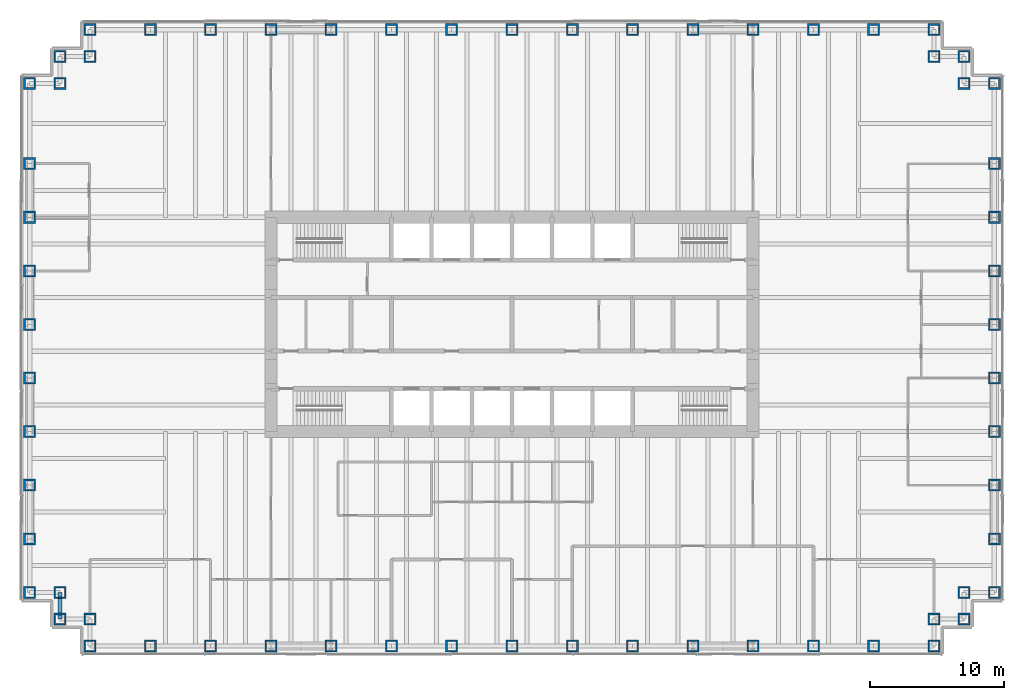
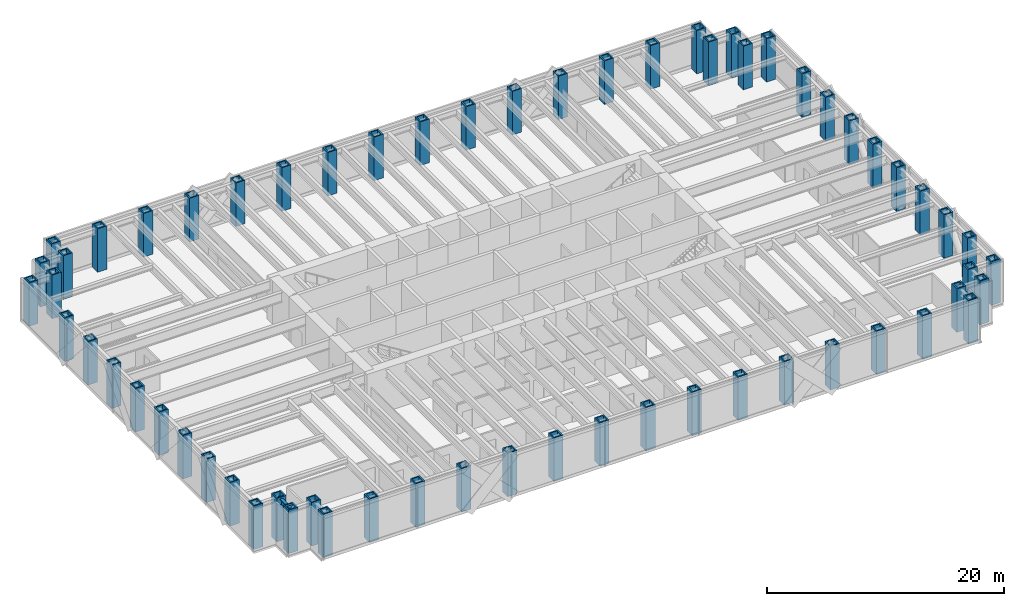
# One storey, part 1 of 13: 62 columns, 1 beam.
"""IFC4 building model written with IfcOpenShell, lengths in metres."""

from ifc_helpers import new_model, si_unit, direction, frame, origin, origin_2d, place, context, subcontext, project, spatial, hollow_rectangle, i_section, extrude, material, material_profile, profile_set, type_object, element, save


model = new_model("IFC4")

# Units and contexts
model_context = context("Model", 3, precision=1e-05, world=origin(), true_north=direction((0.0, 1.0)))
body_context = subcontext(model_context, "Body", "Model", "MODEL_VIEW")
ifc_project = project(units=[si_unit("LENGTHUNIT", "METRE"), si_unit("AREAUNIT", "SQUARE_METRE"), si_unit("VOLUMEUNIT", "CUBIC_METRE"), si_unit("PLANEANGLEUNIT", "RADIAN"), si_unit("MASSUNIT", "GRAM", prefix="KILO")], contexts=[model_context])

# Site, building, storey
site_placement = place(None, origin())
site = spatial("IfcSite", under=ifc_project, at=site_placement, CompositionType="ELEMENT")
building_placement = place(site_placement, origin())
building = spatial("IfcBuilding", under=site, at=building_placement, Name="Rheinbord Bourse Tower", CompositionType="ELEMENT")
storey_placement = place(building_placement, frame((0.0, 0.0, 45.5)))
storey = spatial("IfcBuildingStorey", under=building, at=storey_placement, Name="L09", CompositionType="ELEMENT", Elevation=45.5)

# Columns
ifc_material_1 = material(Name="Steel S460M", Category="steel")
ifc_material_profile_1 = material_profile(ifc_material_1, hollow_rectangle(XDim=0.89990234375, YDim=0.89990234375, WallThickness=0.1201171875, at=origin_2d()), Name="BOX 900x900x120")
ifc_profile_set_1 = profile_set([ifc_material_profile_1], Name="Steel S460M")
column_type = type_object("IfcColumnType", Name="TUBE COLUMN BOX 900x900x120", PredefinedType="COLUMN", material=ifc_profile_set_1)
for number, where, z_axis, x_axis, name in (
    (1, (4.5, 0.0, 0.0), (0.0, 0.0, 1.0), (0.0, 1.0, 0.0), "Column SW-E L09"),
    (2, (9.0, 0.0, 0.0), (0.0, 0.0, 1.0), (0.0, 1.0, 0.0), "Column S-9 L09"),
    (3, (13.5, 0.0, 0.0), (0.0, 0.0, 1.0), (0.0, 1.0, 0.0), "Column S-13.5 L09"),
    (4, (18.0, 0.0, 0.0), (0.0, 0.0, 1.0), (0.0, 1.0, 0.0), "Column S-18 L09"),
    (5, (22.5, 0.0, 0.0), (0.0, 0.0, 1.0), (0.0, 1.0, 0.0), "Column S-22.5 L09"),
    (6, (27.0, 0.0, 0.0), (0.0, 0.0, 1.0), (0.0, 1.0, 0.0), "Column S-27 L09"),
    (7, (31.5, 0.0, 0.0), (0.0, 0.0, 1.0), (0.0, 1.0, 0.0), "Column S-31.5 L09"),
    (8, (36.0, 0.0, 0.0), (0.0, 0.0, 1.0), (0.0, 1.0, 0.0), "Column S-36 L09"),
    (9, (40.5, 0.0, 0.0), (0.0, 0.0, 1.0), (0.0, 1.0, 0.0), "Column S-40.5 L09"),
    (10, (45.0, 0.0, 0.0), (0.0, 0.0, 1.0), (0.0, 1.0, 0.0), "Column S-45 L09"),
    (11, (49.5, 0.0, 0.0), (0.0, 0.0, 1.0), (0.0, 1.0, 0.0), "Column S-49.5 L09"),
    (12, (54.0, 0.0, 0.0), (0.0, 0.0, 1.0), (0.0, 1.0, 0.0), "Column S-54 L09"),
    (13, (58.5, 0.0, 0.0), (0.0, 0.0, 1.0), (0.0, 1.0, 0.0), "Column S-58.5 L09"),
    (14, (63.0, 0.0, 0.0), (0.0, 0.0, 1.0), (0.0, 1.0, 0.0), "Column S-63 L09"),
    (15, (67.5, 0.0, 0.0), (0.0, 0.0, 1.0), (0.0, 1.0, 0.0), "Column SE-E L09"),
    (16, (67.5, 2.0, 0.0), (0.0, 0.0, 1.0), (0.0, 1.0, 0.0), "Column SE-D L09"),
    (17, (69.75, 2.0, 0.0), (0.0, 0.0, 1.0), (1.0, 0.0, 0.0), "Column SE-C L09"),
    (18, (69.75, 4.0, 0.0), (0.0, 0.0, 1.0), (1.0, 0.0, 0.0), "Column SE-B L09"),
    (19, (72.0, 4.0, 0.0), (0.0, 0.0, 1.0), (1.0, 0.0, 0.0), "Column SE-A L09"),
    (20, (72.0, 8.0, 0.0), (0.0, 0.0, 1.0), (1.0, 0.0, 0.0), "Column E-8 L09"),
    (21, (72.0, 12.0, 0.0), (0.0, 0.0, 1.0), (1.0, 0.0, 0.0), "Column E-12 L09"),
    (22, (72.0, 16.0, 0.0), (0.0, 0.0, 1.0), (1.0, 0.0, 0.0), "Column E-16 L09"),
    (23, (72.0, 20.0, 0.0), (0.0, 0.0, 1.0), (1.0, 0.0, 0.0), "Column E-20 L09"),
    (24, (72.0, 24.0, 0.0), (0.0, 0.0, 1.0), (1.0, 0.0, 0.0), "Column E-24 L09"),
    (25, (72.0, 28.0, 0.0), (0.0, 0.0, 1.0), (1.0, 0.0, 0.0), "Column E-28 L09"),
    (26, (72.0, 32.0, 0.0), (0.0, 0.0, 1.0), (1.0, 0.0, 0.0), "Column E-32 L09"),
    (27, (72.0, 36.0, 0.0), (0.0, 0.0, 1.0), (1.0, 0.0, 0.0), "Column E-36 L09"),
    (28, (72.0, 42.0, 0.0), (0.0, 0.0, 1.0), (1.0, 0.0, 0.0), "Column NE-A L09"),
    (29, (69.75, 42.0, 0.0), (0.0, 0.0, 1.0), (1.0, 0.0, 0.0), "Column NE-B L09"),
    (30, (69.75, 44.0, 0.0), (0.0, 0.0, 1.0), (1.0, 0.0, 0.0), "Column NE-C L09"),
    (31, (67.5, 44.0, 0.0), (0.0, 0.0, 1.0), (0.0, 1.0, 0.0), "Column NE-D L09"),
    (32, (67.5, 46.0, 0.0), (0.0, 0.0, 1.0), (0.0, 1.0, 0.0), "Column NE-E L09"),
    (33, (63.0, 46.0, 0.0), (0.0, 0.0, 1.0), (0.0, 1.0, 0.0), "Column N-63 L09"),
    (34, (58.5, 46.0, 0.0), (0.0, 0.0, 1.0), (0.0, 1.0, 0.0), "Column N-58.5 L09"),
    (35, (54.0, 46.0, 0.0), (0.0, 0.0, 1.0), (0.0, 1.0, 0.0), "Column N-54 L09"),
    (36, (49.5, 46.0, 0.0), (0.0, 0.0, 1.0), (0.0, 1.0, 0.0), "Column N-49.5 L09"),
    (37, (45.0, 46.0, 0.0), (0.0, 0.0, 1.0), (0.0, 1.0, 0.0), "Column N-45 L09"),
    (38, (40.5, 46.0, 0.0), (0.0, 0.0, 1.0), (0.0, 1.0, 0.0), "Column N-40.5 L09"),
    (39, (36.0, 46.0, 0.0), (0.0, 0.0, 1.0), (0.0, 1.0, 0.0), "Column N-36 L09"),
    (40, (31.5, 46.0, 0.0), (0.0, 0.0, 1.0), (0.0, 1.0, 0.0), "Column N-31.5 L09"),
    (41, (27.0, 46.0, 0.0), (0.0, 0.0, 1.0), (0.0, 1.0, 0.0), "Column N-27 L09"),
    (42, (22.5, 46.0, 0.0), (0.0, 0.0, 1.0), (0.0, 1.0, 0.0), "Column N-22.5 L09"),
    (43, (18.0, 46.0, 0.0), (0.0, 0.0, 1.0), (0.0, 1.0, 0.0), "Column N-18 L09"),
    (44, (13.5, 46.0, 0.0), (0.0, 0.0, 1.0), (0.0, 1.0, 0.0), "Column N-13.5 L09"),
    (45, (9.0, 46.0, 0.0), (0.0, 0.0, 1.0), (0.0, 1.0, 0.0), "Column N-9 L09"),
    (46, (4.5, 46.0, 0.0), (0.0, 0.0, 1.0), (0.0, 1.0, 0.0), "Column NW-E L09"),
    (47, (4.5, 44.0, 0.0), (0.0, 0.0, 1.0), (0.0, 1.0, 0.0), "Column NW-D L09"),
    (48, (2.25, 44.0, 0.0), (0.0, 0.0, 1.0), (1.0, 0.0, 0.0), "Column NW-C L09"),
    (49, (2.25, 42.0, 0.0), (0.0, 0.0, 1.0), (1.0, 0.0, 0.0), "Column NW-B L09"),
    (50, (0.0, 42.0, 0.0), (0.0, 0.0, 1.0), (1.0, 0.0, 0.0), "Column NW-A L09"),
    (51, (0.0, 36.0, 0.0), (0.0, 0.0, 1.0), (1.0, 0.0, 0.0), "Column W-36 L09"),
    (52, (0.0, 32.0, 0.0), (0.0, 0.0, 1.0), (1.0, 0.0, 0.0), "Column W-32 L09"),
    (53, (0.0, 28.0, 0.0), (0.0, 0.0, 1.0), (1.0, 0.0, 0.0), "Column W-28 L09"),
    (54, (0.0, 24.0, 0.0), (0.0, 0.0, 1.0), (1.0, 0.0, 0.0), "Column W-24 L09"),
    (55, (0.0, 20.0, 0.0), (0.0, 0.0, 1.0), (1.0, 0.0, 0.0), "Column W-20 L09"),
    (56, (0.0, 16.0, 0.0), (0.0, 0.0, 1.0), (1.0, 0.0, 0.0), "Column W-16 L09"),
    (57, (0.0, 12.0, 0.0), (0.0, 0.0, 1.0), (1.0, 0.0, 0.0), "Column W-12 L09"),
    (58, (0.0, 8.0, 0.0), (0.0, 0.0, 1.0), (1.0, 0.0, 0.0), "Column W-8 L09"),
    (59, (0.0, 4.0, 0.0), (0.0, 0.0, 1.0), (1.0, 0.0, 0.0), "Column SW-A L09"),
    (60, (2.25, 4.0, 0.0), (0.0, 0.0, 1.0), (1.0, 0.0, 0.0), "Column SW-B L09"),
    (61, (2.25, 2.0, 0.0), (0.0, 0.0, 1.0), (1.0, 0.0, 0.0), "Column SW-C L09"),
    (62, (4.5, 2.0, 0.0), (0.0, 0.0, 1.0), (0.0, 1.0, 0.0), "Column SW-D L09"),
):
    element("IfcColumn", number, at=place(storey_placement, frame(where, z_axis=z_axis, x_axis=x_axis)), inside=storey, type_object=column_type, Name=name, PredefinedType="COLUMN", context=body_context, shape_type="SweptSolid", body=[
        extrude(hollow_rectangle(XDim=0.89990234375, YDim=0.89990234375, WallThickness=0.1201171875, at=origin_2d()), origin(), (0.0, 0.0, 1.0), 4.5),
    ])

# Beam
ifc_material_2 = material(Name="Steel S460", Category="steel")
ifc_material_profile_2 = material_profile(ifc_material_2, i_section(OverallWidth=0.304931640625, OverallDepth=0.6201171875, WebThickness=0.02099609375, FlangeThickness=0.0400390625, at=origin_2d()), Name="HEM 600")
ifc_profile_set_2 = profile_set([ifc_material_profile_2], Name="Steel S460")
beam_type = type_object("IfcBeamType", Name="SPANDREL HEM 600", PredefinedType="SPANDREL", material=ifc_profile_set_2)
beam_placement = place(storey_placement, frame((2.25, 4.0, 4.010009765625), z_axis=(0.0, -1.0, 0.0), x_axis=(1.0, 0.0, 0.0)))
element("IfcBeam", 63, at=beam_placement, inside=storey, type_object=beam_type, Name="Spandrel SW-B-SW-C under L10", PredefinedType="SPANDREL", context=body_context, shape_type="SweptSolid", body=[
    extrude(i_section(OverallWidth=0.304931640625, OverallDepth=0.6201171875, WebThickness=0.02099609375, FlangeThickness=0.0400390625, at=origin_2d()), origin(), (0.0, 0.0, 1.0), 2.0),
])

save(model, "model.ifc")
